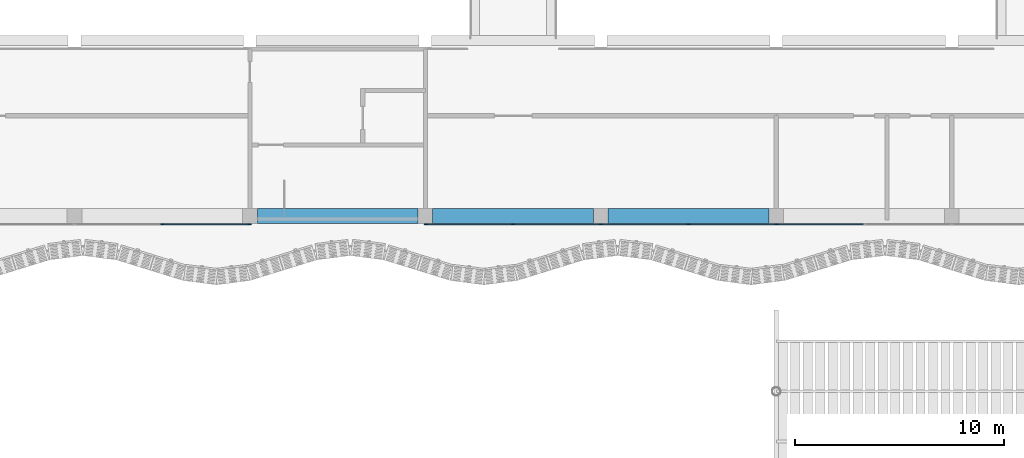
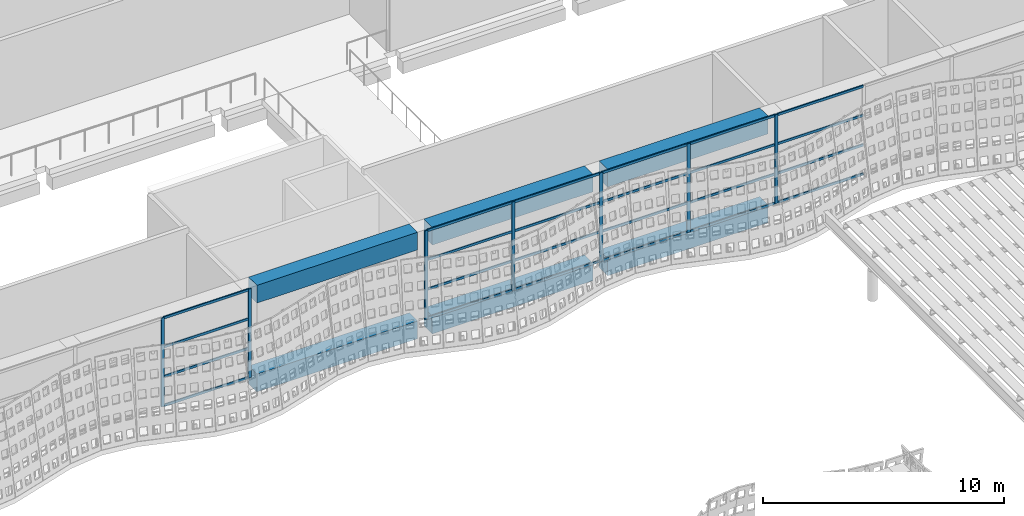
# One storey, part 28 of 162: 31 members, 6 beams, 2 elements without a shape of their own.
"""IFC4 building model written with IfcOpenShell, lengths in metres."""

from ifc_helpers import new_model, si_unit, direction, frame, origin, origin_2d, place, context, subcontext, project, spatial, rectangle, extrude, material, layer, layer_set, material_profile, profile_set, type_object, element, aggregate, save


model = new_model("IFC4")

# Units and contexts
model_context = context("Model", 3, precision=1e-05, world=origin(), true_north=direction((0.0, 1.0)))
body_context = subcontext(model_context, "Body", "Model", "MODEL_VIEW")
ifc_project = project(units=[si_unit("LENGTHUNIT", "METRE"), si_unit("AREAUNIT", "SQUARE_METRE"), si_unit("VOLUMEUNIT", "CUBIC_METRE"), si_unit("PLANEANGLEUNIT", "RADIAN"), si_unit("MASSUNIT", "GRAM", prefix="KILO")], contexts=[model_context])

# Site, building, storey
site_placement = place(None, origin())
site = spatial("IfcSite", under=ifc_project, at=site_placement, CompositionType="ELEMENT")
building_placement = place(site_placement, origin())
building = spatial("IfcBuilding", under=site, at=building_placement, Name="Rain Tree Exposition and Congress Centre", CompositionType="ELEMENT")
storey_placement = place(building_placement, frame((0.0, 0.0, 6.0)))
storey = spatial("IfcBuildingStorey", under=building, at=storey_placement, Name="L01", CompositionType="ELEMENT", Elevation=6.0)

# Curtain wall, members
ifc_material_1 = material(Name="Aluminium curtain wall system", Category="aluminium")
ifc_layer = layer(ifc_material_1, 0.10009765625)
ifc_layer_set = layer_set([ifc_layer], Name="Aluminium curtain wall system")
curtain_wall_type = type_object("IfcCurtainWallType", Name="Concourse curtain wall 4200 module", PredefinedType="NOTDEFINED", material=ifc_layer_set)
curtain_wall_1_placement = place(storey_placement, origin())
curtain_wall_1 = element("IfcCurtainWall", 1, at=curtain_wall_1_placement, inside=storey, type_object=curtain_wall_type, Name="Concourse curtain wall CWC22", PredefinedType="NOTDEFINED")
ifc_material_2 = material(Name="Aluminium mullion", Category="aluminium")
ifc_material_profile_1 = material_profile(ifc_material_2, rectangle(XDim=0.06005859375, YDim=0.159912109375, at=origin_2d()), Name="AL 60x160")
ifc_profile_set_1 = profile_set([ifc_material_profile_1], Name="Aluminium mullion")
member_type_1 = type_object("IfcMemberType", Name="Concourse curtain wall mullion 60x160", PredefinedType="MULLION", material=ifc_profile_set_1)
member_1_placement = place(storey_placement, frame((29.39990234375, 75.199951171875, 0.0), z_axis=(0.0, 0.0, 1.0), x_axis=(0.0, 1.0, 0.0)))
member_1 = element("IfcMember", 2, at=member_1_placement, type_object=member_type_1, Name="CWC22 mullion 8", PredefinedType="MULLION", context=body_context, shape_type="SweptSolid", body=[
    extrude(rectangle(XDim=0.06005859375, YDim=0.159912109375, at=origin_2d()), origin(), (0.0, 0.0, 1.0), 4.5),
])
member_2_placement = place(storey_placement, frame((33.570068359375, 75.199951171875, 0.0), z_axis=(0.0, 0.0, 1.0), x_axis=(0.0, 1.0, 0.0)))
member_2 = element("IfcMember", 3, at=member_2_placement, type_object=member_type_1, Name="CWC22 mullion 9", PredefinedType="MULLION", context=body_context, shape_type="SweptSolid", body=[
    extrude(rectangle(XDim=0.06005859375, YDim=0.159912109375, at=origin_2d()), origin(), (0.0, 0.0, 1.0), 4.5),
])

curtain_wall_2_placement = place(storey_placement, origin())
curtain_wall_2 = element("IfcCurtainWall", 4, at=curtain_wall_2_placement, inside=storey, type_object=curtain_wall_type, Name="Concourse curtain wall CWC23", PredefinedType="NOTDEFINED")
member_3_placement = place(storey_placement, frame((42.030029296875, 75.199951171875, 0.0), z_axis=(0.0, 0.0, 1.0), x_axis=(0.0, 1.0, 0.0)))
member_3 = element("IfcMember", 5, at=member_3_placement, type_object=member_type_1, Name="CWC23 mullion 1", PredefinedType="MULLION", context=body_context, shape_type="SweptSolid", body=[
    extrude(rectangle(XDim=0.06005859375, YDim=0.159912109375, at=origin_2d()), origin(), (0.0, 0.0, 1.0), 4.5),
])
member_4_placement = place(storey_placement, frame((46.199951171875, 75.199951171875, 0.0), z_axis=(0.0, 0.0, 1.0), x_axis=(0.0, 1.0, 0.0)))
member_4 = element("IfcMember", 6, at=member_4_placement, type_object=member_type_1, Name="CWC23 mullion 2", PredefinedType="MULLION", context=body_context, shape_type="SweptSolid", body=[
    extrude(rectangle(XDim=0.06005859375, YDim=0.159912109375, at=origin_2d()), origin(), (0.0, 0.0, 1.0), 4.5),
])
member_5_placement = place(storey_placement, frame((50.39990234375, 75.199951171875, 0.0), z_axis=(0.0, 0.0, 1.0), x_axis=(0.0, 1.0, 0.0)))
member_5 = element("IfcMember", 7, at=member_5_placement, type_object=member_type_1, Name="CWC23 mullion 3", PredefinedType="MULLION", context=body_context, shape_type="SweptSolid", body=[
    extrude(rectangle(XDim=0.06005859375, YDim=0.159912109375, at=origin_2d()), origin(), (0.0, 0.0, 1.0), 4.5),
])
member_6_placement = place(storey_placement, frame((54.60009765625, 75.199951171875, 0.0), z_axis=(0.0, 0.0, 1.0), x_axis=(0.0, 1.0, 0.0)))
member_6 = element("IfcMember", 8, at=member_6_placement, type_object=member_type_1, Name="CWC23 mullion 4", PredefinedType="MULLION", context=body_context, shape_type="SweptSolid", body=[
    extrude(rectangle(XDim=0.06005859375, YDim=0.159912109375, at=origin_2d()), origin(), (0.0, 0.0, 1.0), 4.5),
])
member_7_placement = place(storey_placement, frame((58.800048828125, 75.199951171875, 0.0), z_axis=(0.0, 0.0, 1.0), x_axis=(0.0, 1.0, 0.0)))
member_7 = element("IfcMember", 9, at=member_7_placement, type_object=member_type_1, Name="CWC23 mullion 5", PredefinedType="MULLION", context=body_context, shape_type="SweptSolid", body=[
    extrude(rectangle(XDim=0.06005859375, YDim=0.159912109375, at=origin_2d()), origin(), (0.0, 0.0, 1.0), 4.5),
])

# Member
ifc_material_3 = material(Name="Aluminium transom", Category="aluminium")
ifc_material_profile_2 = material_profile(ifc_material_3, rectangle(XDim=0.06005859375, YDim=0.1201171875, at=origin_2d()), Name="AL 60x120")
ifc_profile_set_2 = profile_set([ifc_material_profile_2], Name="Aluminium transom")
member_type_2 = type_object("IfcMemberType", Name="Concourse curtain wall transom 60x120", PredefinedType="USERDEFINED", material=ifc_profile_set_2)
member_8_placement = place(storey_placement, frame((29.429931640625, 75.199951171875, 0.030029296875), z_axis=(1.0, 0.0, 0.0), x_axis=(0.0, 1.0, 0.0)))
member_8 = element("IfcMember", 10, at=member_8_placement, type_object=member_type_2, Name="CWC22 transom 8.1", ObjectType="TRANSOM", PredefinedType="USERDEFINED", context=body_context, shape_type="SweptSolid", body=[
    extrude(rectangle(XDim=0.06005859375, YDim=0.1201171875, at=origin_2d()), origin(), (0.0, 0.0, 1.0), 4.110107421875),
])

member_9_placement = place(storey_placement, frame((29.429931640625, 75.199951171875, 1.5), z_axis=(1.0, 0.0, 0.0), x_axis=(0.0, 1.0, 0.0)))
member_9 = element("IfcMember", 11, at=member_9_placement, type_object=member_type_2, Name="CWC22 transom 8.2", ObjectType="TRANSOM", PredefinedType="USERDEFINED", context=body_context, shape_type="SweptSolid", body=[
    extrude(rectangle(XDim=0.06005859375, YDim=0.1201171875, at=origin_2d()), origin(), (0.0, 0.0, 1.0), 4.110107421875),
])

member_10_placement = place(storey_placement, frame((29.429931640625, 75.199951171875, 3.0), z_axis=(1.0, 0.0, 0.0), x_axis=(0.0, 1.0, 0.0)))
member_10 = element("IfcMember", 12, at=member_10_placement, type_object=member_type_2, Name="CWC22 transom 8.3", ObjectType="TRANSOM", PredefinedType="USERDEFINED", context=body_context, shape_type="SweptSolid", body=[
    extrude(rectangle(XDim=0.06005859375, YDim=0.1201171875, at=origin_2d()), origin(), (0.0, 0.0, 1.0), 4.110107421875),
])

member_11_placement = place(storey_placement, frame((29.429931640625, 75.199951171875, 4.469970703125), z_axis=(1.0, 0.0, 0.0), x_axis=(0.0, 1.0, 0.0)))
member_11 = element("IfcMember", 13, at=member_11_placement, type_object=member_type_2, Name="CWC22 transom 8.4", ObjectType="TRANSOM", PredefinedType="USERDEFINED", context=body_context, shape_type="SweptSolid", body=[
    extrude(rectangle(XDim=0.06005859375, YDim=0.1201171875, at=origin_2d()), origin(), (0.0, 0.0, 1.0), 4.110107421875),
])

aggregate(curtain_wall_1, [member_1, member_2, member_8, member_9, member_10, member_11])

member_12_placement = place(storey_placement, frame((42.06005859375, 75.199951171875, 0.030029296875), z_axis=(1.0, 0.0, 0.0), x_axis=(0.0, 1.0, 0.0)))
member_12 = element("IfcMember", 14, at=member_12_placement, type_object=member_type_2, Name="CWC23 transom 1.1", ObjectType="TRANSOM", PredefinedType="USERDEFINED", context=body_context, shape_type="SweptSolid", body=[
    extrude(rectangle(XDim=0.06005859375, YDim=0.1201171875, at=origin_2d()), origin(), (0.0, 0.0, 1.0), 4.10986328125),
])

member_13_placement = place(storey_placement, frame((42.06005859375, 75.199951171875, 1.5), z_axis=(1.0, 0.0, 0.0), x_axis=(0.0, 1.0, 0.0)))
member_13 = element("IfcMember", 15, at=member_13_placement, type_object=member_type_2, Name="CWC23 transom 1.2", ObjectType="TRANSOM", PredefinedType="USERDEFINED", context=body_context, shape_type="SweptSolid", body=[
    extrude(rectangle(XDim=0.06005859375, YDim=0.1201171875, at=origin_2d()), origin(), (0.0, 0.0, 1.0), 4.10986328125),
])

member_14_placement = place(storey_placement, frame((42.06005859375, 75.199951171875, 3.0), z_axis=(1.0, 0.0, 0.0), x_axis=(0.0, 1.0, 0.0)))
member_14 = element("IfcMember", 16, at=member_14_placement, type_object=member_type_2, Name="CWC23 transom 1.3", ObjectType="TRANSOM", PredefinedType="USERDEFINED", context=body_context, shape_type="SweptSolid", body=[
    extrude(rectangle(XDim=0.06005859375, YDim=0.1201171875, at=origin_2d()), origin(), (0.0, 0.0, 1.0), 4.10986328125),
])

member_15_placement = place(storey_placement, frame((42.06005859375, 75.199951171875, 4.469970703125), z_axis=(1.0, 0.0, 0.0), x_axis=(0.0, 1.0, 0.0)))
member_15 = element("IfcMember", 17, at=member_15_placement, type_object=member_type_2, Name="CWC23 transom 1.4", ObjectType="TRANSOM", PredefinedType="USERDEFINED", context=body_context, shape_type="SweptSolid", body=[
    extrude(rectangle(XDim=0.06005859375, YDim=0.1201171875, at=origin_2d()), origin(), (0.0, 0.0, 1.0), 4.10986328125),
])

member_16_placement = place(storey_placement, frame((46.22998046875, 75.199951171875, 0.030029296875), z_axis=(1.0, 0.0, 0.0), x_axis=(0.0, 1.0, 0.0)))
member_16 = element("IfcMember", 18, at=member_16_placement, type_object=member_type_2, Name="CWC23 transom 2.1", ObjectType="TRANSOM", PredefinedType="USERDEFINED", context=body_context, shape_type="SweptSolid", body=[
    extrude(rectangle(XDim=0.06005859375, YDim=0.1201171875, at=origin_2d()), origin(), (0.0, 0.0, 1.0), 4.14013671875),
])

member_17_placement = place(storey_placement, frame((46.22998046875, 75.199951171875, 1.5), z_axis=(1.0, 0.0, 0.0), x_axis=(0.0, 1.0, 0.0)))
member_17 = element("IfcMember", 19, at=member_17_placement, type_object=member_type_2, Name="CWC23 transom 2.2", ObjectType="TRANSOM", PredefinedType="USERDEFINED", context=body_context, shape_type="SweptSolid", body=[
    extrude(rectangle(XDim=0.06005859375, YDim=0.1201171875, at=origin_2d()), origin(), (0.0, 0.0, 1.0), 4.14013671875),
])

member_18_placement = place(storey_placement, frame((46.22998046875, 75.199951171875, 3.0), z_axis=(1.0, 0.0, 0.0), x_axis=(0.0, 1.0, 0.0)))
member_18 = element("IfcMember", 20, at=member_18_placement, type_object=member_type_2, Name="CWC23 transom 2.3", ObjectType="TRANSOM", PredefinedType="USERDEFINED", context=body_context, shape_type="SweptSolid", body=[
    extrude(rectangle(XDim=0.06005859375, YDim=0.1201171875, at=origin_2d()), origin(), (0.0, 0.0, 1.0), 4.14013671875),
])

member_19_placement = place(storey_placement, frame((46.22998046875, 75.199951171875, 4.469970703125), z_axis=(1.0, 0.0, 0.0), x_axis=(0.0, 1.0, 0.0)))
member_19 = element("IfcMember", 21, at=member_19_placement, type_object=member_type_2, Name="CWC23 transom 2.4", ObjectType="TRANSOM", PredefinedType="USERDEFINED", context=body_context, shape_type="SweptSolid", body=[
    extrude(rectangle(XDim=0.06005859375, YDim=0.1201171875, at=origin_2d()), origin(), (0.0, 0.0, 1.0), 4.14013671875),
])

member_20_placement = place(storey_placement, frame((50.429931640625, 75.199951171875, 0.030029296875), z_axis=(1.0, 0.0, 0.0), x_axis=(0.0, 1.0, 0.0)))
member_20 = element("IfcMember", 22, at=member_20_placement, type_object=member_type_2, Name="CWC23 transom 3.1", ObjectType="TRANSOM", PredefinedType="USERDEFINED", context=body_context, shape_type="SweptSolid", body=[
    extrude(rectangle(XDim=0.06005859375, YDim=0.1201171875, at=origin_2d()), origin(), (0.0, 0.0, 1.0), 4.14013671875),
])

member_21_placement = place(storey_placement, frame((50.429931640625, 75.199951171875, 1.5), z_axis=(1.0, 0.0, 0.0), x_axis=(0.0, 1.0, 0.0)))
member_21 = element("IfcMember", 23, at=member_21_placement, type_object=member_type_2, Name="CWC23 transom 3.2", ObjectType="TRANSOM", PredefinedType="USERDEFINED", context=body_context, shape_type="SweptSolid", body=[
    extrude(rectangle(XDim=0.06005859375, YDim=0.1201171875, at=origin_2d()), origin(), (0.0, 0.0, 1.0), 4.14013671875),
])

member_22_placement = place(storey_placement, frame((50.429931640625, 75.199951171875, 3.0), z_axis=(1.0, 0.0, 0.0), x_axis=(0.0, 1.0, 0.0)))
member_22 = element("IfcMember", 24, at=member_22_placement, type_object=member_type_2, Name="CWC23 transom 3.3", ObjectType="TRANSOM", PredefinedType="USERDEFINED", context=body_context, shape_type="SweptSolid", body=[
    extrude(rectangle(XDim=0.06005859375, YDim=0.1201171875, at=origin_2d()), origin(), (0.0, 0.0, 1.0), 4.14013671875),
])

member_23_placement = place(storey_placement, frame((50.429931640625, 75.199951171875, 4.469970703125), z_axis=(1.0, 0.0, 0.0), x_axis=(0.0, 1.0, 0.0)))
member_23 = element("IfcMember", 25, at=member_23_placement, type_object=member_type_2, Name="CWC23 transom 3.4", ObjectType="TRANSOM", PredefinedType="USERDEFINED", context=body_context, shape_type="SweptSolid", body=[
    extrude(rectangle(XDim=0.06005859375, YDim=0.1201171875, at=origin_2d()), origin(), (0.0, 0.0, 1.0), 4.14013671875),
])

member_24_placement = place(storey_placement, frame((54.6298828125, 75.199951171875, 0.030029296875), z_axis=(1.0, 0.0, 0.0), x_axis=(0.0, 1.0, 0.0)))
member_24 = element("IfcMember", 26, at=member_24_placement, type_object=member_type_2, Name="CWC23 transom 4.1", ObjectType="TRANSOM", PredefinedType="USERDEFINED", context=body_context, shape_type="SweptSolid", body=[
    extrude(rectangle(XDim=0.06005859375, YDim=0.1201171875, at=origin_2d()), origin(), (0.0, 0.0, 1.0), 4.14013671875),
])

member_25_placement = place(storey_placement, frame((54.6298828125, 75.199951171875, 1.5), z_axis=(1.0, 0.0, 0.0), x_axis=(0.0, 1.0, 0.0)))
member_25 = element("IfcMember", 27, at=member_25_placement, type_object=member_type_2, Name="CWC23 transom 4.2", ObjectType="TRANSOM", PredefinedType="USERDEFINED", context=body_context, shape_type="SweptSolid", body=[
    extrude(rectangle(XDim=0.06005859375, YDim=0.1201171875, at=origin_2d()), origin(), (0.0, 0.0, 1.0), 4.14013671875),
])

member_26_placement = place(storey_placement, frame((54.6298828125, 75.199951171875, 3.0), z_axis=(1.0, 0.0, 0.0), x_axis=(0.0, 1.0, 0.0)))
member_26 = element("IfcMember", 28, at=member_26_placement, type_object=member_type_2, Name="CWC23 transom 4.3", ObjectType="TRANSOM", PredefinedType="USERDEFINED", context=body_context, shape_type="SweptSolid", body=[
    extrude(rectangle(XDim=0.06005859375, YDim=0.1201171875, at=origin_2d()), origin(), (0.0, 0.0, 1.0), 4.14013671875),
])

member_27_placement = place(storey_placement, frame((54.6298828125, 75.199951171875, 4.469970703125), z_axis=(1.0, 0.0, 0.0), x_axis=(0.0, 1.0, 0.0)))
member_27 = element("IfcMember", 29, at=member_27_placement, type_object=member_type_2, Name="CWC23 transom 4.4", ObjectType="TRANSOM", PredefinedType="USERDEFINED", context=body_context, shape_type="SweptSolid", body=[
    extrude(rectangle(XDim=0.06005859375, YDim=0.1201171875, at=origin_2d()), origin(), (0.0, 0.0, 1.0), 4.14013671875),
])

member_28_placement = place(storey_placement, frame((58.830078125, 75.199951171875, 0.030029296875), z_axis=(1.0, 0.0, 0.0), x_axis=(0.0, 1.0, 0.0)))
member_28 = element("IfcMember", 30, at=member_28_placement, type_object=member_type_2, Name="CWC23 transom 5.1", ObjectType="TRANSOM", PredefinedType="USERDEFINED", context=body_context, shape_type="SweptSolid", body=[
    extrude(rectangle(XDim=0.06005859375, YDim=0.1201171875, at=origin_2d()), origin(), (0.0, 0.0, 1.0), 4.139892578125),
])

member_29_placement = place(storey_placement, frame((58.830078125, 75.199951171875, 1.5), z_axis=(1.0, 0.0, 0.0), x_axis=(0.0, 1.0, 0.0)))
member_29 = element("IfcMember", 31, at=member_29_placement, type_object=member_type_2, Name="CWC23 transom 5.2", ObjectType="TRANSOM", PredefinedType="USERDEFINED", context=body_context, shape_type="SweptSolid", body=[
    extrude(rectangle(XDim=0.06005859375, YDim=0.1201171875, at=origin_2d()), origin(), (0.0, 0.0, 1.0), 4.139892578125),
])

member_30_placement = place(storey_placement, frame((58.830078125, 75.199951171875, 3.0), z_axis=(1.0, 0.0, 0.0), x_axis=(0.0, 1.0, 0.0)))
member_30 = element("IfcMember", 32, at=member_30_placement, type_object=member_type_2, Name="CWC23 transom 5.3", ObjectType="TRANSOM", PredefinedType="USERDEFINED", context=body_context, shape_type="SweptSolid", body=[
    extrude(rectangle(XDim=0.06005859375, YDim=0.1201171875, at=origin_2d()), origin(), (0.0, 0.0, 1.0), 4.139892578125),
])

member_31_placement = place(storey_placement, frame((58.830078125, 75.199951171875, 4.469970703125), z_axis=(1.0, 0.0, 0.0), x_axis=(0.0, 1.0, 0.0)))
member_31 = element("IfcMember", 33, at=member_31_placement, type_object=member_type_2, Name="CWC23 transom 5.4", ObjectType="TRANSOM", PredefinedType="USERDEFINED", context=body_context, shape_type="SweptSolid", body=[
    extrude(rectangle(XDim=0.06005859375, YDim=0.1201171875, at=origin_2d()), origin(), (0.0, 0.0, 1.0), 4.139892578125),
])

aggregate(curtain_wall_2, [member_3, member_4, member_5, member_6, member_7, member_12, member_13, member_14, member_15, member_16, member_17, member_18, member_19, member_20, member_21, member_22, member_23, member_24, member_25, member_26, member_27, member_28, member_29, member_30, member_31])

# Beams
ifc_material_4 = material(Name="Precast concrete C50/60", Category="concrete")
ifc_material_profile_3 = material_profile(ifc_material_4, rectangle(XDim=0.699951171875, YDim=0.89990234375, at=origin_2d()), Name="RC 700x900")
ifc_profile_set_3 = profile_set([ifc_material_profile_3], Name="Precast concrete C50/60")
beam_type = type_object("IfcBeamType", Name="Precast beam 700x900", PredefinedType="BEAM", material=ifc_profile_set_3)
for number, where, z_axis, x_axis, name in (
    (34, (33.949951171875, 75.60009765625, -0.449951171875), (1.0, 0.0, 0.0), (0.0, 1.0, 0.0), "Concourse edge beam 5"),
    (35, (42.35009765625, 75.60009765625, -0.449951171875), (1.0, 0.0, 0.0), (0.0, 1.0, 0.0), "Concourse edge beam 6"),
    (36, (50.75, 75.60009765625, -0.449951171875), (1.0, 0.0, 0.0), (0.0, 1.0, 0.0), "Concourse edge beam 7"),
    (37, (33.949951171875, 75.60009765625, 4.050048828125), (1.0, 0.0, 0.0), (0.0, 1.0, 0.0), "Concourse roof edge beam 5"),
    (38, (42.35009765625, 75.60009765625, 4.050048828125), (1.0, 0.0, 0.0), (0.0, 1.0, 0.0), "Concourse roof edge beam 6"),
    (39, (50.75, 75.60009765625, 4.050048828125), (1.0, 0.0, 0.0), (0.0, 1.0, 0.0), "Concourse roof edge beam 7"),
):
    element("IfcBeam", number, at=place(storey_placement, frame(where, z_axis=z_axis, x_axis=x_axis)), inside=storey, type_object=beam_type, Name=name, PredefinedType="BEAM", context=body_context, shape_type="SweptSolid", body=[
        extrude(rectangle(XDim=0.699951171875, YDim=0.89990234375, at=origin_2d()), origin(), (0.0, 0.0, 1.0), 7.699951171875),
    ])

save(model, "model.ifc")
